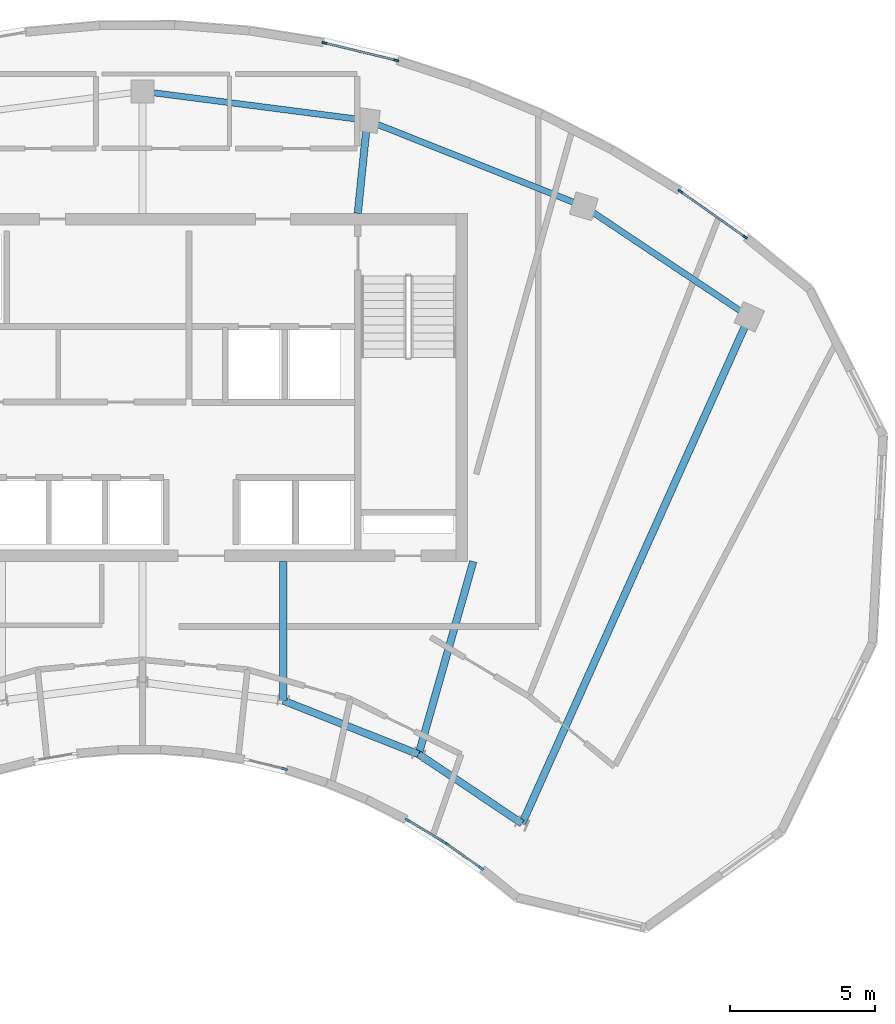
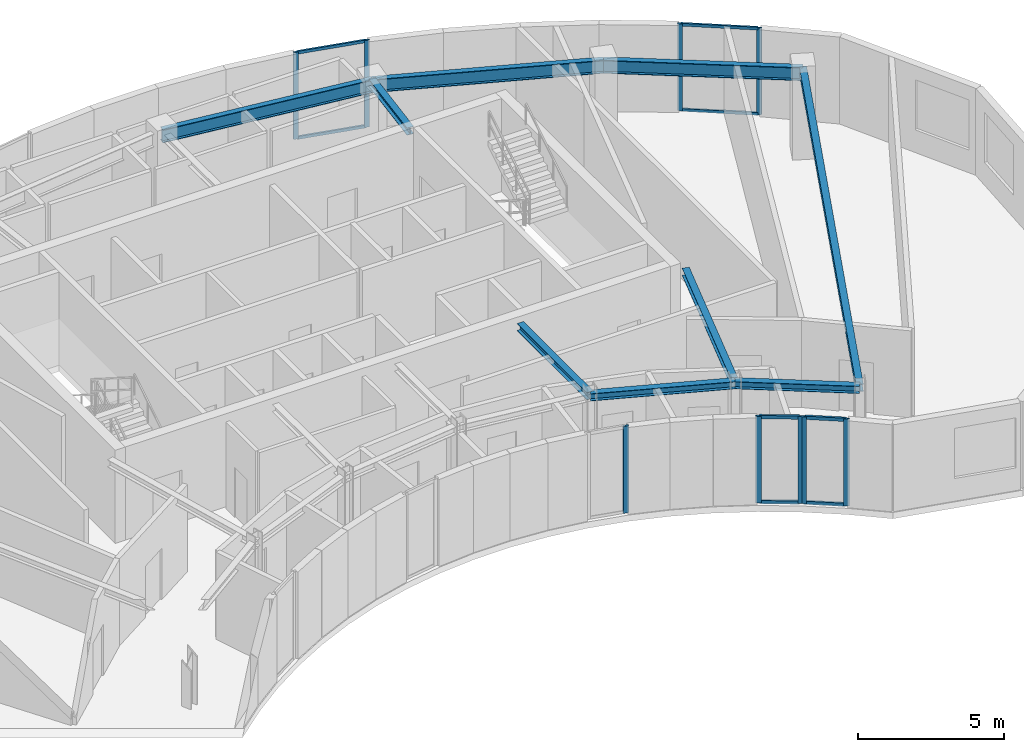
# One storey, part 3 of 9: 17 members, 9 beams, 5 elements without a shape of their own.
"""IFC4 building model written with IfcOpenShell, lengths in metres."""

from ifc_helpers import new_model, si_unit, direction, frame, origin, origin_2d, place, context, subcontext, project, spatial, rectangle, i_section, extrude, source, transform, mapped, material, layer, layer_set, material_profile, profile_set, type_object, element, aggregate, save


model = new_model("IFC4")

# Units and contexts
model_context = context("Model", 3, precision=1e-05, world=origin(), true_north=direction((0.0, 1.0)))
body_context = subcontext(model_context, "Body", "Model", "MODEL_VIEW")
ifc_project = project(units=[si_unit("LENGTHUNIT", "METRE"), si_unit("AREAUNIT", "SQUARE_METRE"), si_unit("VOLUMEUNIT", "CUBIC_METRE"), si_unit("PLANEANGLEUNIT", "RADIAN"), si_unit("MASSUNIT", "GRAM", prefix="KILO")], contexts=[model_context])

# Site, building, storey
site_placement = place(None, origin())
site = spatial("IfcSite", under=ifc_project, at=site_placement, CompositionType="ELEMENT")
building_placement = place(site_placement, origin())
building = spatial("IfcBuilding", under=site, at=building_placement, Name="Breltana Convention Tower", CompositionType="ELEMENT")
storey_placement = place(building_placement, frame((0.0, 0.0, 283.5)))
storey = spatial("IfcBuildingStorey", under=building, at=storey_placement, Name="L69", CompositionType="ELEMENT", Elevation=283.5)

# Beams
ifc_material_1 = material(Name="Steel ASTM A992 Grade 50", Category="steel")
ifc_material_profile_1 = material_profile(ifc_material_1, i_section(OverallWidth=0.214111328125, OverallDepth=0.549072265625, WebThickness=0.0146484375, FlangeThickness=0.023681640625, at=origin_2d()), Name="W21X93")
ifc_profile_set_1 = profile_set([ifc_material_profile_1], Name="Steel ASTM A992 Grade 50")
beam_type_1 = type_object("IfcBeamType", Name="BM-SP-W21X93", PredefinedType="SPANDREL", material=ifc_profile_set_1)
shared_shape_1 = source(origin(), body_context, "Body", "SweptSolid", [
    extrude(i_section(OverallWidth=0.214111328125, OverallDepth=0.549072265625, WebThickness=0.0146484375, FlangeThickness=0.023681640625, at=origin_2d()), origin(), (0.0, 0.0, 1.0), 8.028564453125),
])
beam_1_placement = place(storey_placement, frame((55.746826171875, 75.404296875, 3.365478515625), z_axis=(0.929459100394, -0.368925169507, 0.0), x_axis=(0.368925169507, 0.929459100394, 0.0)))
element("IfcBeam", 1, at=beam_1_placement, inside=storey, type_object=beam_type_1, Name="L69 Outer Spandrel Beam 07", PredefinedType="SPANDREL", context=body_context, shape_type="MappedRepresentation", body=[
    mapped(shared_shape_1, transform((0.0, 0.0, 0.0), scale=1.0)),
])
shared_shape_2 = source(origin(), body_context, "Body", "SweptSolid", [
    extrude(i_section(OverallWidth=0.214111328125, OverallDepth=0.549072265625, WebThickness=0.0146484375, FlangeThickness=0.023681640625, at=origin_2d()), origin(), (0.0, 0.0, 1.0), 7.81103515625),
])
beam_2_placement = place(storey_placement, frame((48.0, 76.404052734375, 3.365478515625), z_axis=(0.991775179127, -0.127992164083, 0.0), x_axis=(0.127992164083, 0.991775179127, 0.0)))
element("IfcBeam", 2, at=beam_2_placement, inside=storey, type_object=beam_type_1, Name="L69 Outer Spandrel Beam 06", PredefinedType="SPANDREL", context=body_context, shape_type="MappedRepresentation", body=[
    mapped(shared_shape_2, transform((0.0, 0.0, 0.0), scale=1.0)),
])
shared_shape_3 = source(origin(), body_context, "Body", "SweptSolid", [
    extrude(i_section(OverallWidth=0.214111328125, OverallDepth=0.549072265625, WebThickness=0.0146484375, FlangeThickness=0.023681640625, at=origin_2d()), origin(), (0.0, 0.0, 1.0), 6.856689453125),
])
beam_3_placement = place(storey_placement, frame((63.208984375, 72.4423828125, 3.365478515625), z_axis=(0.83150210718, -0.55552159792, 0.0), x_axis=(0.55552159792, 0.83150210718, 0.0)))
element("IfcBeam", 3, at=beam_3_placement, inside=storey, type_object=beam_type_1, Name="L69 Outer Spandrel Beam 08", PredefinedType="SPANDREL", context=body_context, shape_type="MappedRepresentation", body=[
    mapped(shared_shape_3, transform((0.0, 0.0, 0.0), scale=1.0)),
])
ifc_material_profile_2 = material_profile(ifc_material_1, i_section(OverallWidth=0.25390625, OverallDepth=0.305908203125, WebThickness=0.0087890625, FlangeThickness=0.0146484375, at=origin_2d()), Name="W12X53")
ifc_profile_set_2 = profile_set([ifc_material_profile_2], Name="Steel ASTM A992 Grade 50")
beam_type_2 = type_object("IfcBeamType", Name="BM-CN-W12X53", PredefinedType="BEAM", material=ifc_profile_set_2)
shared_shape_4 = source(origin(), body_context, "Body", "SweptSolid", [
    extrude(i_section(OverallWidth=0.25390625, OverallDepth=0.305908203125, WebThickness=0.0087890625, FlangeThickness=0.0146484375, at=origin_2d()), origin(), (0.0, 0.0, 1.0), 6.904541015625),
])
beam_4_placement = place(storey_placement, frame((59.39990234375, 60.199951171875, 3.487060546875), z_axis=(-0.273006781054, -0.962012108811, 0.0), x_axis=(0.962012108811, -0.273006781054, 0.0)))
element("IfcBeam", 4, at=beam_4_placement, inside=storey, type_object=beam_type_2, Name="L69 South Core Tie Girder R08", PredefinedType="BEAM", context=body_context, shape_type="MappedRepresentation", body=[
    mapped(shared_shape_4, transform((0.0, 0.0, 0.0), scale=1.0)),
])
shared_shape_5 = source(origin(), body_context, "Body", "SweptSolid", [
    extrude(i_section(OverallWidth=0.25390625, OverallDepth=0.305908203125, WebThickness=0.0087890625, FlangeThickness=0.0146484375, at=origin_2d()), origin(), (0.0, 0.0, 1.0), 4.789306640625),
])
beam_5_placement = place(storey_placement, frame((52.846435546875, 60.199951171875, 3.487060546875), z_axis=(0.0, -1.0, 0.0), x_axis=(1.0, 0.0, 0.0)))
element("IfcBeam", 5, at=beam_5_placement, inside=storey, type_object=beam_type_2, Name="L69 South Core Tie Girder R07", PredefinedType="BEAM", context=body_context, shape_type="MappedRepresentation", body=[
    mapped(shared_shape_5, transform((0.0, 0.0, 0.0), scale=1.0)),
])
shared_shape_6 = source(origin(), body_context, "Body", "SweptSolid", [
    extrude(i_section(OverallWidth=0.25390625, OverallDepth=0.305908203125, WebThickness=0.0087890625, FlangeThickness=0.0146484375, at=origin_2d()), origin(), (0.0, 0.0, 1.0), 3.220947265625),
])
beam_6_placement = place(storey_placement, frame((55.419921875, 72.199951171875, 3.487060546875), z_axis=(0.101492254858, 0.994836329355, 0.0), x_axis=(-0.994836329355, 0.101492254858, 0.0)))
element("IfcBeam", 6, at=beam_6_placement, inside=storey, type_object=beam_type_2, Name="L69 North Core Radial Girder R07", PredefinedType="BEAM", context=body_context, shape_type="MappedRepresentation", body=[
    mapped(shared_shape_6, transform((0.0, 0.0, 0.0), scale=1.0)),
])
shared_shape_7 = source(origin(), body_context, "Body", "SweptSolid", [
    extrude(i_section(OverallWidth=0.25390625, OverallDepth=0.305908203125, WebThickness=0.0087890625, FlangeThickness=0.0146484375, at=origin_2d()), origin(), (0.0, 0.0, 1.0), 19.133544921875),
])
beam_7_placement = place(storey_placement, frame((61.08203125, 51.174560546875, 3.487060546875), z_axis=(0.409144564164, 0.912469575172, 0.0), x_axis=(-0.912469575172, 0.409144564164, 0.0)))
element("IfcBeam", 7, at=beam_7_placement, inside=storey, type_object=beam_type_2, Name="L69 Radial Floor Girder R09", PredefinedType="BEAM", context=body_context, shape_type="MappedRepresentation", body=[
    mapped(shared_shape_7, transform((0.0, 0.0, 0.0), scale=1.0)),
])
shared_shape_8 = source(origin(), body_context, "Body", "SweptSolid", [
    extrude(i_section(OverallWidth=0.25390625, OverallDepth=0.305908203125, WebThickness=0.0087890625, FlangeThickness=0.0146484375, at=origin_2d()), origin(), (0.0, 0.0, 1.0), 5.022705078125),
])
beam_8_placement = place(storey_placement, frame((52.846435546875, 55.41064453125, 3.487060546875), z_axis=(0.929458966248, -0.368925507469, 0.0), x_axis=(0.368925507469, 0.929458966248, 0.0)))
element("IfcBeam", 8, at=beam_8_placement, inside=storey, type_object=beam_type_2, Name="L69 Inner Ring Beam 07", PredefinedType="BEAM", context=body_context, shape_type="MappedRepresentation", body=[
    mapped(shared_shape_8, transform((0.0, 0.0, 0.0), scale=1.0)),
])
shared_shape_9 = source(origin(), body_context, "Body", "SweptSolid", [
    extrude(i_section(OverallWidth=0.25390625, OverallDepth=0.305908203125, WebThickness=0.0087890625, FlangeThickness=0.0146484375, at=origin_2d()), origin(), (0.0, 0.0, 1.0), 4.2900390625),
])
beam_9_placement = place(storey_placement, frame((57.514892578125, 53.5576171875, 3.487060546875), z_axis=(0.831515827753, -0.555501060482, 0.0), x_axis=(0.555501060482, 0.831515827753, 0.0)))
element("IfcBeam", 9, at=beam_9_placement, inside=storey, type_object=beam_type_2, Name="L69 Inner Ring Beam 08", PredefinedType="BEAM", context=body_context, shape_type="MappedRepresentation", body=[
    mapped(shared_shape_9, transform((0.0, 0.0, 0.0), scale=1.0)),
])

# Curtain wall, members
ifc_material_2 = material(Name="Aluminium Anodised Bronze Frame", Category="aluminium")
ifc_layer_1 = layer(ifc_material_2, 0.18994140625, Name="Aluminium Anodised Bronze Frame")
ifc_layer_set_1 = layer_set([ifc_layer_1], Name="Aluminium Anodised Bronze Frame")
curtain_wall_type_1 = type_object("IfcCurtainWallType", Name="CW-SYS-1", PredefinedType="NOTDEFINED", material=ifc_layer_set_1)
curtain_wall_1_placement = place(storey_placement, origin())
curtain_wall_1 = element("IfcCurtainWall", 10, at=curtain_wall_1_placement, inside=storey, type_object=curtain_wall_type_1, Name="L69 inner south-court glazing 1", PredefinedType="NOTDEFINED")
ifc_material_3 = material(Name="Aluminium Anodised Bronze", Category="aluminium")
ifc_material_profile_3 = material_profile(ifc_material_3, rectangle(XDim=0.080078125, YDim=0.199951171875, at=origin_2d()), Name="CWM-80X200")
ifc_profile_set_3 = profile_set([ifc_material_profile_3], Name="Aluminium Anodised Bronze")
member_type_1 = type_object("IfcMemberType", Name="CWM-200", PredefinedType="MULLION", material=ifc_profile_set_3)
shared_shape_10 = source(origin(), body_context, "Body", "SweptSolid", [
    extrude(rectangle(XDim=0.080078125, YDim=0.199951171875, at=origin_2d()), origin(), (0.0, 0.0, 1.0), 3.639892578125),
])
member_1_placement = place(storey_placement, frame((59.667724609375, 49.635986328125, 0.0), z_axis=(0.0, 0.0, 1.0), x_axis=(-0.576173895534, -0.817327132857, 0.0)))
member_1 = element("IfcMember", 11, at=member_1_placement, type_object=member_type_1, Name="CW-01 mullion 1", PredefinedType="MULLION", context=body_context, shape_type="MappedRepresentation", body=[
    mapped(shared_shape_10, transform((0.0, 0.0, 0.0), scale=1.0)),
])
member_2_placement = place(storey_placement, frame((58.4599609375, 50.4873046875, 0.0), z_axis=(0.0, 0.0, 1.0), x_axis=(-0.576173895534, -0.817327132857, 0.0)))
member_2 = element("IfcMember", 12, at=member_2_placement, type_object=member_type_1, Name="CW-01 mullion 2", PredefinedType="MULLION", context=body_context, shape_type="MappedRepresentation", body=[
    mapped(shared_shape_10, transform((0.0, 0.0, 0.0), scale=1.0)),
])

curtain_wall_2_placement = place(storey_placement, origin())
curtain_wall_2 = element("IfcCurtainWall", 13, at=curtain_wall_2_placement, inside=storey, type_object=curtain_wall_type_1, Name="L69 inner south-court glazing 2", PredefinedType="NOTDEFINED")
member_3_placement = place(storey_placement, frame((58.38232421875, 50.5380859375, 0.0), z_axis=(0.0, 0.0, 1.0), x_axis=(-0.516826673654, -0.856090059164, 0.0)))
member_3 = element("IfcMember", 14, at=member_3_placement, type_object=member_type_1, Name="CW-01 mullion 1", PredefinedType="MULLION", context=body_context, shape_type="MappedRepresentation", body=[
    mapped(shared_shape_10, transform((0.0, 0.0, 0.0), scale=1.0)),
])
member_4_placement = place(storey_placement, frame((57.139404296875, 51.288330078125, 0.0), z_axis=(0.0, 0.0, 1.0), x_axis=(-0.516826673654, -0.856090059164, 0.0)))
member_4 = element("IfcMember", 15, at=member_4_placement, type_object=member_type_1, Name="CW-01 mullion 2", PredefinedType="MULLION", context=body_context, shape_type="MappedRepresentation", body=[
    mapped(shared_shape_10, transform((0.0, 0.0, 0.0), scale=1.0)),
])

# Curtain wall, member
curtain_wall_3_placement = place(storey_placement, origin())
curtain_wall_3 = element("IfcCurtainWall", 16, at=curtain_wall_3_placement, inside=storey, type_object=curtain_wall_type_1, Name="L69 inner south-court glazing 3", PredefinedType="NOTDEFINED")
member_5_placement = place(storey_placement, frame((52.89990234375, 53.0517578125, 0.0), z_axis=(0.0, 0.0, 1.0), x_axis=(-0.235517485062, -0.97187011181, 0.0)))
member_5 = element("IfcMember", 17, at=member_5_placement, type_object=member_type_1, Name="CW-01 mullion 1", PredefinedType="MULLION", context=body_context, shape_type="MappedRepresentation", body=[
    mapped(shared_shape_10, transform((0.0, 0.0, 0.0), scale=1.0)),
])
aggregate(curtain_wall_3, [member_5])

# Curtain wall, members
ifc_layer_2 = layer(ifc_material_2, 0.22998046875, Name="Aluminium Anodised Bronze Frame")
ifc_layer_set_2 = layer_set([ifc_layer_2], Name="Aluminium Anodised Bronze Frame")
curtain_wall_type_2 = type_object("IfcCurtainWallType", Name="CW-SYS-5", PredefinedType="NOTDEFINED", material=ifc_layer_set_2)
curtain_wall_4_placement = place(storey_placement, origin())
curtain_wall_4 = element("IfcCurtainWall", 18, at=curtain_wall_4_placement, inside=storey, type_object=curtain_wall_type_2, Name="L69 outer double-skin inner glazing 4", PredefinedType="NOTDEFINED")
ifc_material_profile_4 = material_profile(ifc_material_3, rectangle(XDim=0.070068359375, YDim=0.175048828125, at=origin_2d()), Name="CWM-70X175")
ifc_profile_set_4 = profile_set([ifc_material_profile_4], Name="Aluminium Anodised Bronze")
member_type_2 = type_object("IfcMemberType", Name="CWM-175", PredefinedType="MULLION", material=ifc_profile_set_4)
shared_shape_11 = source(origin(), body_context, "Body", "SweptSolid", [
    extrude(rectangle(XDim=0.070068359375, YDim=0.175048828125, at=origin_2d()), origin(), (0.0, 0.0, 1.0), 3.639892578125),
])
member_6_placement = place(storey_placement, frame((54.273193359375, 78.0732421875, 0.0), z_axis=(0.0, 0.0, 1.0), x_axis=(0.235517807109, 0.971870033767, 0.0)))
member_6 = element("IfcMember", 19, at=member_6_placement, type_object=member_type_2, Name="CW-05 mullion 1", PredefinedType="MULLION", context=body_context, shape_type="MappedRepresentation", body=[
    mapped(shared_shape_11, transform((0.0, 0.0, 0.0), scale=1.0)),
])
member_7_placement = place(storey_placement, frame((56.74267578125, 77.474853515625, 0.0), z_axis=(0.0, 0.0, 1.0), x_axis=(0.235517807109, 0.971870033767, 0.0)))
member_7 = element("IfcMember", 20, at=member_7_placement, type_object=member_type_2, Name="CW-05 mullion 2", PredefinedType="MULLION", context=body_context, shape_type="MappedRepresentation", body=[
    mapped(shared_shape_11, transform((0.0, 0.0, 0.0), scale=1.0)),
])

curtain_wall_5_placement = place(storey_placement, origin())
curtain_wall_5 = element("IfcCurtainWall", 21, at=curtain_wall_5_placement, inside=storey, type_object=curtain_wall_type_2, Name="L69 outer double-skin inner glazing 5", PredefinedType="NOTDEFINED")
member_8_placement = place(storey_placement, frame((66.5390625, 72.955078125, 0.0), z_axis=(0.0, 0.0, 1.0), x_axis=(0.576234994683, 0.817284057658, 0.0)))
member_8 = element("IfcMember", 22, at=member_8_placement, type_object=member_type_2, Name="CW-05 mullion 1", PredefinedType="MULLION", context=body_context, shape_type="MappedRepresentation", body=[
    mapped(shared_shape_11, transform((0.0, 0.0, 0.0), scale=1.0)),
])
member_9_placement = place(storey_placement, frame((68.76611328125, 71.385009765625, 0.0), z_axis=(0.0, 0.0, 1.0), x_axis=(0.576234994683, 0.817284057658, 0.0)))
member_9 = element("IfcMember", 23, at=member_9_placement, type_object=member_type_2, Name="CW-05 mullion 2", PredefinedType="MULLION", context=body_context, shape_type="MappedRepresentation", body=[
    mapped(shared_shape_11, transform((0.0, 0.0, 0.0), scale=1.0)),
])

# Member
ifc_material_profile_5 = material_profile(ifc_material_3, rectangle(XDim=0.080078125, YDim=0.139892578125, at=origin_2d()), Name="CWT-80X140")
ifc_profile_set_5 = profile_set([ifc_material_profile_5], Name="Aluminium Anodised Bronze")
member_type_3 = type_object("IfcMemberType", Name="CWT-140", PredefinedType="USERDEFINED", material=ifc_profile_set_5)
shared_shape_12 = source(origin(), body_context, "Body", "SweptSolid", [
    extrude(rectangle(XDim=0.080078125, YDim=0.139892578125, at=origin_2d()), origin(), (0.0, 0.0, 1.0), 1.3974609375),
])
member_10_placement = place(storey_placement, frame((59.635009765625, 49.658935546875, 0.0400390625), z_axis=(-0.817364650956, 0.576120670838, 0.0), x_axis=(-0.576120670838, -0.817364650956, 0.0)))
member_10 = element("IfcMember", 24, at=member_10_placement, type_object=member_type_3, Name="CW-01 transom 1.1", ObjectType="TRANSOM", PredefinedType="USERDEFINED", context=body_context, shape_type="MappedRepresentation", body=[
    mapped(shared_shape_12, transform((0.0, 0.0, 0.0), scale=1.0)),
])

member_11_placement = place(storey_placement, frame((59.635009765625, 49.658935546875, 3.60009765625), z_axis=(-0.817364650956, 0.576120670838, 0.0), x_axis=(-0.576120670838, -0.817364650956, 0.0)))
member_11 = element("IfcMember", 25, at=member_11_placement, type_object=member_type_3, Name="CW-01 transom 1.2", ObjectType="TRANSOM", PredefinedType="USERDEFINED", context=body_context, shape_type="MappedRepresentation", body=[
    mapped(shared_shape_12, transform((0.0, 0.0, 0.0), scale=1.0)),
])

aggregate(curtain_wall_1, [member_1, member_2, member_10, member_11])

shared_shape_13 = source(origin(), body_context, "Body", "SweptSolid", [
    extrude(rectangle(XDim=0.080078125, YDim=0.139892578125, at=origin_2d()), origin(), (0.0, 0.0, 1.0), 1.3720703125),
])
member_12_placement = place(storey_placement, frame((58.34814453125, 50.55859375, 0.0400390625), z_axis=(-0.856123865056, 0.516770672235, 0.0), x_axis=(-0.516770672235, -0.856123865056, 0.0)))
member_12 = element("IfcMember", 26, at=member_12_placement, type_object=member_type_3, Name="CW-01 transom 1.1", ObjectType="TRANSOM", PredefinedType="USERDEFINED", context=body_context, shape_type="MappedRepresentation", body=[
    mapped(shared_shape_13, transform((0.0, 0.0, 0.0), scale=1.0)),
])

member_13_placement = place(storey_placement, frame((58.34814453125, 50.55859375, 3.60009765625), z_axis=(-0.856123865056, 0.516770672235, 0.0), x_axis=(-0.516770672235, -0.856123865056, 0.0)))
member_13 = element("IfcMember", 27, at=member_13_placement, type_object=member_type_3, Name="CW-01 transom 1.2", ObjectType="TRANSOM", PredefinedType="USERDEFINED", context=body_context, shape_type="MappedRepresentation", body=[
    mapped(shared_shape_13, transform((0.0, 0.0, 0.0), scale=1.0)),
])

aggregate(curtain_wall_2, [member_3, member_4, member_12, member_13])

ifc_material_profile_6 = material_profile(ifc_material_3, rectangle(XDim=0.070068359375, YDim=0.1201171875, at=origin_2d()), Name="CWT-70X120")
ifc_profile_set_6 = profile_set([ifc_material_profile_6], Name="Aluminium Anodised Bronze")
member_type_4 = type_object("IfcMemberType", Name="CWT-120", PredefinedType="USERDEFINED", material=ifc_profile_set_6)
shared_shape_14 = source(origin(), body_context, "Body", "SweptSolid", [
    extrude(rectangle(XDim=0.070068359375, YDim=0.1201171875, at=origin_2d()), origin(), (0.0, 0.0, 1.0), 2.470947265625),
])
member_14_placement = place(storey_placement, frame((54.30712890625, 78.065185546875, 0.034912109375), z_axis=(0.971861073618, -0.235554778315, 0.0), x_axis=(0.235554778315, 0.971861073618, 0.0)))
member_14 = element("IfcMember", 28, at=member_14_placement, type_object=member_type_4, Name="CW-05 transom 1.1", ObjectType="TRANSOM", PredefinedType="USERDEFINED", context=body_context, shape_type="MappedRepresentation", body=[
    mapped(shared_shape_14, transform((0.0, 0.0, 0.0), scale=1.0)),
])

member_15_placement = place(storey_placement, frame((54.30712890625, 78.065185546875, 3.60498046875), z_axis=(0.971861073618, -0.235554778315, 0.0), x_axis=(0.235554778315, 0.971861073618, 0.0)))
member_15 = element("IfcMember", 29, at=member_15_placement, type_object=member_type_4, Name="CW-05 transom 1.2", ObjectType="TRANSOM", PredefinedType="USERDEFINED", context=body_context, shape_type="MappedRepresentation", body=[
    mapped(shared_shape_14, transform((0.0, 0.0, 0.0), scale=1.0)),
])

aggregate(curtain_wall_4, [member_6, member_7, member_14, member_15])

shared_shape_15 = source(origin(), body_context, "Body", "SweptSolid", [
    extrude(rectangle(XDim=0.070068359375, YDim=0.1201171875, at=origin_2d()), origin(), (0.0, 0.0, 1.0), 2.65478515625),
])
member_16_placement = place(storey_placement, frame((66.567626953125, 72.93505859375, 0.034912109375), z_axis=(0.817235368234, -0.576304045541, 0.0), x_axis=(0.576304045541, 0.817235368234, 0.0)))
member_16 = element("IfcMember", 30, at=member_16_placement, type_object=member_type_4, Name="CW-05 transom 1.1", ObjectType="TRANSOM", PredefinedType="USERDEFINED", context=body_context, shape_type="MappedRepresentation", body=[
    mapped(shared_shape_15, transform((0.0, 0.0, 0.0), scale=1.0)),
])

member_17_placement = place(storey_placement, frame((66.567626953125, 72.93505859375, 3.60498046875), z_axis=(0.817235368234, -0.576304045541, 0.0), x_axis=(0.576304045541, 0.817235368234, 0.0)))
member_17 = element("IfcMember", 31, at=member_17_placement, type_object=member_type_4, Name="CW-05 transom 1.2", ObjectType="TRANSOM", PredefinedType="USERDEFINED", context=body_context, shape_type="MappedRepresentation", body=[
    mapped(shared_shape_15, transform((0.0, 0.0, 0.0), scale=1.0)),
])

aggregate(curtain_wall_5, [member_8, member_9, member_16, member_17])

save(model, "model.ifc")
